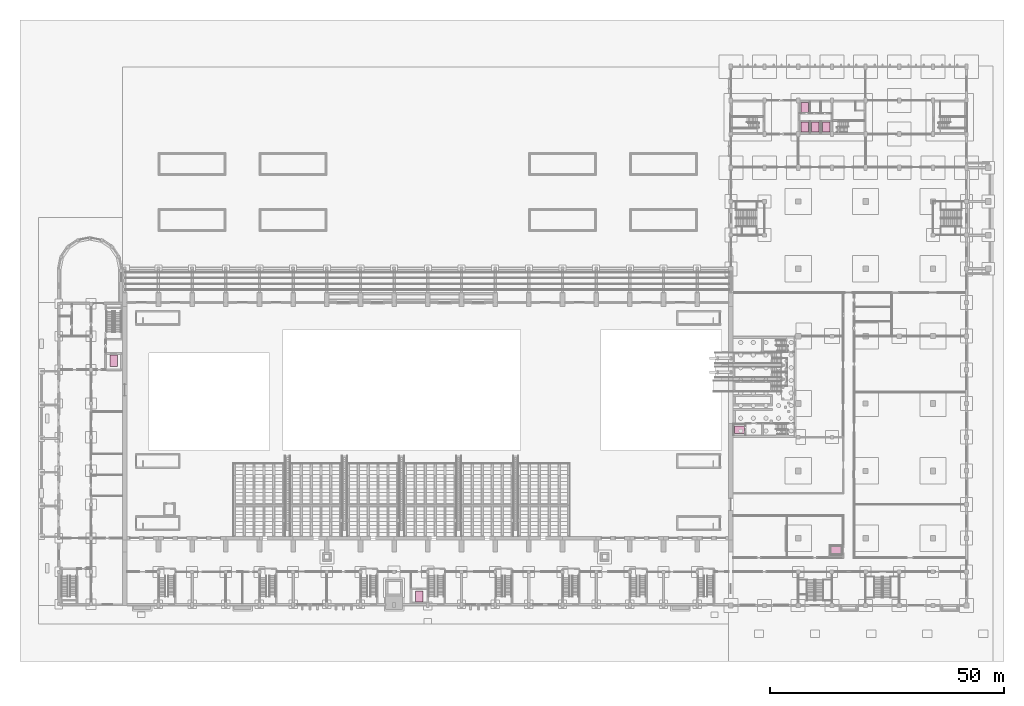
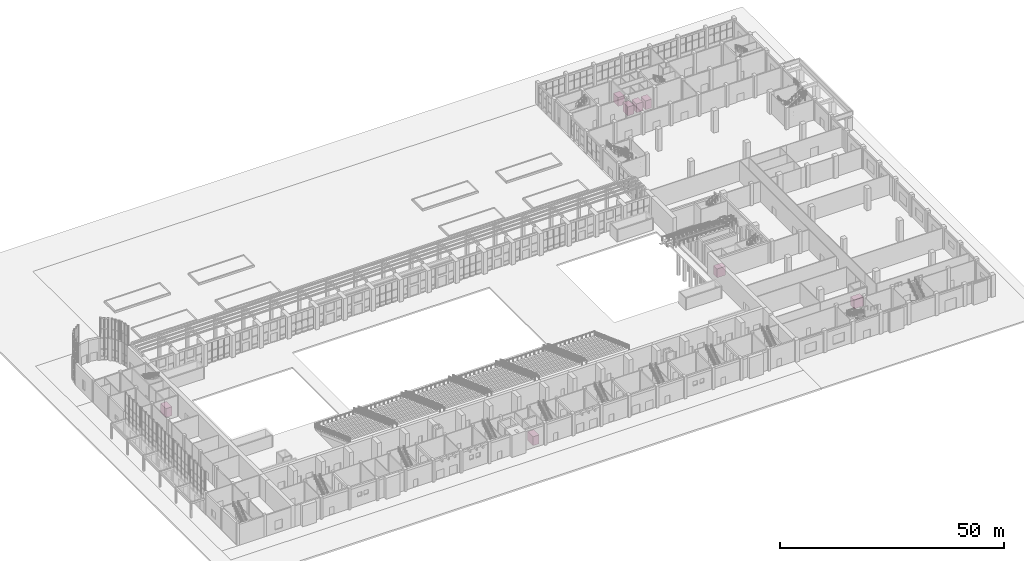
# One storey, part 70 of 70: 8 transport elements.
"""IFC4 building model written with IfcOpenShell, lengths in metres."""

import ifcopenshell
import ifcopenshell.guid

model = None  # the IFC model being written
_history = None  # IfcOwnerHistory: only IFC2X3 demands one
_inside = {}  # id of a spatial element -> (the spatial element, [elements in it])
_under = {}  # id of a project, library or spatial element -> (it, [spatial elements below it])
_declared = {}  # id of a project -> (the project, [libraries it declares])
_typed = {}  # id of a type object -> (the type object, [elements of that type])
_made_of = {}  # id of a material, layer set ... -> (it, [elements and type objects made of it])


def new_model(schema):
    """Start an empty IFC model of exactly this schema.

    Asked for "IFC4X3", IfcOpenShell would pick the latest addendum, in which some entities
    have other attributes; the version numbers below select the first issue.
    IFC2X3 requires an IfcOwnerHistory on every rooted entity: one is made here for all.
    """
    global model, _history
    if schema == "IFC4X3":
        model = ifcopenshell.file(schema_version=(4, 3, 0, 0))
    else:
        model = ifcopenshell.file(schema=schema)
    _inside.clear()
    _under.clear()
    _declared.clear()
    _typed.clear()
    _made_of.clear()
    _history = None
    if model.schema == "IFC2X3":
        org = make("IfcOrganization", Name="unknown")
        user = make(
            "IfcPersonAndOrganization",
            ThePerson=make("IfcPerson", FamilyName="unknown"),
            TheOrganization=org,
        )
        app = make(
            "IfcApplication",
            ApplicationDeveloper=org,
            Version="unknown",
            ApplicationFullName="unknown",
            ApplicationIdentifier="unknown",
        )
        _history = make(
            "IfcOwnerHistory",
            OwningUser=user,
            OwningApplication=app,
            ChangeAction="ADDED",
            CreationDate=0,
        )
    return model


def make(cls, **values):
    """One entity of the class cls with the attributes given. An attribute that is None is left unset."""
    return model.create_entity(
        cls, **{name: value for name, value in values.items() if value is not None}
    )


def rooted(cls, **values):
    """An entity with a GlobalId (a new one), such as an element, a storey or a relation."""
    return make(cls, GlobalId=ifcopenshell.guid.new(), OwnerHistory=_history, **values)


def si_unit(unit_type, name, prefix=None):
    """IfcSIUnit, for example si_unit("LENGTHUNIT", "METRE", prefix="MILLI")."""
    return make("IfcSIUnit", UnitType=unit_type, Prefix=prefix, Name=name)


def assignment(units):
    """IfcUnitAssignment: the units of a project."""
    return None if units is None else make("IfcUnitAssignment", Units=units)


def point(xyz):
    """IfcCartesianPoint."""
    return None if xyz is None else make("IfcCartesianPoint", Coordinates=xyz)


def direction(xyz):
    """IfcDirection."""
    return None if xyz is None else make("IfcDirection", DirectionRatios=xyz)


def frame(location, z_axis=None, x_axis=None):
    """IfcAxis2Placement3D, a coordinate frame: its origin and axes. An axis left out is left unset."""
    return make(
        "IfcAxis2Placement3D",
        Location=point(location),
        Axis=direction(z_axis),
        RefDirection=direction(x_axis),
    )


def frame_2d(location, x_axis=None):
    """IfcAxis2Placement2D, a coordinate frame in the plane: its origin and x axis."""
    return make(
        "IfcAxis2Placement2D", Location=point(location), RefDirection=direction(x_axis)
    )


def origin():
    """The frame at (0, 0, 0) with its axes left unset."""
    return frame((0.0, 0.0, 0.0))


def origin_2d():
    """The frame at (0, 0) in the plane with its x axis left unset."""
    return frame_2d((0.0, 0.0))


def place(relative_to, where):
    """IfcLocalPlacement: puts the frame where relative to a parent placement (None: the world)."""
    return make(
        "IfcLocalPlacement", PlacementRelTo=relative_to, RelativePlacement=where
    )


def context(
    kind, dimensions, precision=None, world=None, true_north=None, identifier=None
):
    """IfcGeometricRepresentationContext, for example the 3D "Model" context."""
    return make(
        "IfcGeometricRepresentationContext",
        ContextIdentifier=identifier,
        ContextType=kind,
        CoordinateSpaceDimension=dimensions,
        Precision=precision,
        WorldCoordinateSystem=world,
        TrueNorth=true_north,
    )


def subcontext(parent, identifier, kind, view, scale=None):
    """IfcGeometricRepresentationSubContext, for example "Body" below "Model"."""
    return make(
        "IfcGeometricRepresentationSubContext",
        ContextIdentifier=identifier,
        ContextType=kind,
        ParentContext=parent,
        TargetScale=scale,
        TargetView=view,
    )


def project(units=None, contexts=None):
    """IfcProject with its units and contexts."""
    return rooted(
        "IfcProject",
        Name="project",
        RepresentationContexts=contexts,
        UnitsInContext=assignment(units),
    )


def spatial(cls, under=None, at=None, **own):
    """A site, building, storey or space (cls), placed at a placement, below another one or the project."""
    s = rooted(cls, ObjectPlacement=at, **own)
    if under is not None:
        _under.setdefault(under.id(), (under, []))[1].append(s)
    return s


def profile(cls, at=None, kind="AREA", **sizes):
    """A parametric profile (cls). Its sizes go by their IFC names, for example OverallWidth=200.0."""
    return make(cls, ProfileType=kind, Position=at, **sizes)


def rectangle(**sizes):
    """IfcRectangleProfileDef."""
    return profile("IfcRectangleProfileDef", **sizes)


def extrude(swept, where, along, depth):
    """IfcExtrudedAreaSolid: the profile swept, set in the frame where, extruded along a direction by depth."""
    return make(
        "IfcExtrudedAreaSolid",
        SweptArea=swept,
        Position=where,
        ExtrudedDirection=direction(along),
        Depth=depth,
    )


def shape(context_of_items, identifier, shape_type, items):
    """IfcShapeRepresentation: the items that make up one representation, for example the "Body"."""
    return make(
        "IfcShapeRepresentation",
        ContextOfItems=context_of_items,
        RepresentationIdentifier=identifier,
        RepresentationType=shape_type,
        Items=items,
    )


def material(Name=None, Category=None):
    """IfcMaterial."""
    return make("IfcMaterial", Name=Name, Category=Category)


def made_of(thing, what):
    """Note that an element or type object is made of a material, layer set ...; save() writes the relation."""
    if what is not None:
        _made_of.setdefault(what.id(), (what, []))[1].append(thing)
    return thing


def type_object(cls, material=None, **own):
    """A type object (cls), such as IfcWallType, which elements share."""
    return made_of(rooted(cls, **own), material)


def element(
    cls,
    number,
    at=None,
    inside=None,
    cuts=None,
    type_object=None,
    material=None,
    context=None,
    identifier="Body",
    shape_type=None,
    held_by="IfcProductDefinitionShape",
    body=None,
    shapes=None,
    **own,
):
    """One element of the class cls, such as IfcWall. Its Tag is "e" and its number.

    at: its placement. inside: the storey or other place that contains it. cuts: it is an
    opening in that element (IfcRelVoidsElement). A single representation is given by context,
    identifier, shape_type and body (its items); several are given by shapes. held_by: the class
    of the entity that holds the representations. save() writes the other relations.
    """
    e = rooted(cls, Tag="e%d" % number, ObjectPlacement=at, **own)
    if body is not None:
        shapes = [shape(context, identifier, shape_type, body)]
    if shapes is not None:
        e.Representation = make(held_by, Representations=shapes)
    if inside is not None:
        _inside.setdefault(inside.id(), (inside, []))[1].append(e)
    if cuts is not None:
        rooted(
            "IfcRelVoidsElement", RelatingBuildingElement=cuts, RelatedOpeningElement=e
        )
    if type_object is not None:
        _typed.setdefault(type_object.id(), (type_object, []))[1].append(e)
    return made_of(e, material)


def aggregate(whole, parts):
    """IfcRelAggregates: a whole, such as a stair, and the parts it consists of."""
    return rooted("IfcRelAggregates", RelatingObject=whole, RelatedObjects=parts)


def save(model, path):
    """Write the relations noted so far, then the file.

    IfcRelAggregates (storeys below a building ...), IfcRelContainedInSpatialStructure (elements
    in a storey), IfcRelDefinesByType, IfcRelAssociatesMaterial and IfcRelDeclares: one each for
    every whole, place, type object, material and project.
    """
    for whole, parts in _under.values():
        aggregate(whole, parts)
    for where, things in _inside.values():
        rooted(
            "IfcRelContainedInSpatialStructure",
            RelatedElements=things,
            RelatingStructure=where,
        )
    for kind, things in _typed.values():
        rooted("IfcRelDefinesByType", RelatedObjects=things, RelatingType=kind)
    for what, things in _made_of.values():
        rooted("IfcRelAssociatesMaterial", RelatedObjects=things, RelatingMaterial=what)
    for by, libraries in _declared.values():
        rooted("IfcRelDeclares", RelatingContext=by, RelatedDefinitions=libraries)
    model.write(path)


model = new_model("IFC4")

# Units and contexts
model_context = context("Model", 3, precision=1e-05, world=origin(), true_north=direction((0.0, 1.0)))
body_context = subcontext(model_context, "Body", "Model", "MODEL_VIEW")
ifc_project = project(units=[si_unit("LENGTHUNIT", "METRE"), si_unit("AREAUNIT", "SQUARE_METRE"), si_unit("VOLUMEUNIT", "CUBIC_METRE"), si_unit("PLANEANGLEUNIT", "RADIAN"), si_unit("MASSUNIT", "GRAM", prefix="KILO")], contexts=[model_context])

# Site, building, storey
site_placement = place(None, origin())
site = spatial("IfcSite", under=ifc_project, at=site_placement, CompositionType="ELEMENT")
building_placement = place(site_placement, origin())
building = spatial("IfcBuilding", under=site, at=building_placement, Name="Vermilion Court Aquatics Centre", CompositionType="ELEMENT")
storey_placement = place(building_placement, origin())
storey = spatial("IfcBuildingStorey", under=building, at=storey_placement, Name="L00", CompositionType="ELEMENT", Elevation=0.0)

# Transport elements
ifc_material_1 = material(Name="Stainless steel ASTM A240 Type 316", Category="steel")
transport_element_type_1 = type_object("IfcTransportElementType", Name="Diving Tower stretcher lift car 1600x2200 reduced pit", PredefinedType="ELEVATOR", material=ifc_material_1)
transport_element_1_placement = place(storey_placement, frame((145.85009765625, 37.5625, 0.0), z_axis=(0.0, 0.0, 1.0), x_axis=(1.0, 0.0, 0.0)))
element("IfcTransportElement", 1, at=transport_element_1_placement, inside=storey, type_object=transport_element_type_1, Name="Stretcher lift L5", PredefinedType="ELEVATOR", context=body_context, shape_type="SweptSolid", body=[
    extrude(rectangle(XDim=2.199951171875, YDim=1.60009765625, at=origin_2d()), origin(), (0.0, 0.0, 1.0), 2.39990234375),
])
ifc_material_2 = material(Name="Steel ASTM A992 Grade 50", Category="steel")
transport_element_type_2 = type_object("IfcTransportElementType", Name="Foyer passenger lift 1600x2400", PredefinedType="ELEVATOR", material=ifc_material_2)
transport_element_2_placement = place(storey_placement, frame((12.0, 52.35009765625, 0.0), z_axis=(0.0, 0.0, 1.0), x_axis=(1.0, 0.0, 0.0)))
element("IfcTransportElement", 2, at=transport_element_2_placement, inside=storey, type_object=transport_element_type_2, Name="Passenger lift F1", PredefinedType="ELEVATOR", context=body_context, shape_type="SweptSolid", body=[
    extrude(rectangle(XDim=1.60009765625, YDim=2.39990234375, at=origin_2d()), origin(), (0.0, 0.0, 1.0), 2.39990234375),
])
ifc_material_3 = material(Name="Stainless steel ASTM A240 Type 316", Category="steel")
transport_element_type_3 = type_object("IfcTransportElementType", Name="North block passenger lift car 1600x2100", PredefinedType="ELEVATOR", material=ifc_material_3)
for number, where, z_axis, x_axis, name in (
    (3, (162.074951171875, 102.300048828125, 0.0), (0.0, 0.0, 1.0), (1.0, 0.0, 0.0), "Passenger lift L2"),
    (4, (164.375, 102.300048828125, 0.0), (0.0, 0.0, 1.0), (1.0, 0.0, 0.0), "Passenger lift L3"),
    (5, (159.77490234375, 106.5, 0.0), (0.0, 0.0, 1.0), (1.0, 0.0, 0.0), "Passenger lift L4"),
):
    element("IfcTransportElement", number, at=place(storey_placement, frame(where, z_axis=z_axis, x_axis=x_axis)), inside=storey, type_object=transport_element_type_3, Name=name, PredefinedType="ELEVATOR", context=body_context, shape_type="SweptSolid", body=[
        extrude(rectangle(XDim=1.60009765625, YDim=2.10009765625, at=origin_2d()), origin(), (0.0, 0.0, 1.0), 2.39990234375),
    ])
ifc_material_4 = material(Name="Stainless steel ASTM A240 Type 316", Category="steel")
transport_element_type_4 = type_object("IfcTransportElementType", Name="North block stretcher lift car 1600x2200", PredefinedType="ELEVATOR", material=ifc_material_4)
transport_element_3_placement = place(storey_placement, frame((159.77490234375, 102.300048828125, 0.0), z_axis=(0.0, 0.0, 1.0), x_axis=(1.0, 0.0, 0.0)))
element("IfcTransportElement", 6, at=transport_element_3_placement, inside=storey, type_object=transport_element_type_4, Name="Stretcher lift L1", PredefinedType="ELEVATOR", context=body_context, shape_type="SweptSolid", body=[
    extrude(rectangle(XDim=1.60009765625, YDim=2.199951171875, at=origin_2d()), origin(), (0.0, 0.0, 1.0), 2.39990234375),
])
ifc_material_5 = material(Name="Stainless steel ASTM A240 Type 316", Category="steel")
transport_element_type_5 = type_object("IfcTransportElementType", Name="Podium service lift car 1600x2400", PredefinedType="ELEVATOR", material=ifc_material_5)
transport_element_4_placement = place(storey_placement, frame((166.375, 11.800048828125, 0.0), z_axis=(0.0, 0.0, 1.0), x_axis=(1.0, 0.0, 0.0)))
element("IfcTransportElement", 7, at=transport_element_4_placement, inside=storey, type_object=transport_element_type_5, Name="Service lift SL1", PredefinedType="ELEVATOR", context=body_context, shape_type="SweptSolid", body=[
    extrude(rectangle(XDim=2.39990234375, YDim=1.60009765625, at=origin_2d()), origin(), (0.0, 0.0, 1.0), 2.39990234375),
])
ifc_material_6 = material(Name="Steel ASTM A992 Grade 50", Category="steel")
transport_element_type_6 = type_object("IfcTransportElementType", Name="South passenger lift 1600x2400", PredefinedType="ELEVATOR", material=ifc_material_6)
transport_element_5_placement = place(storey_placement, frame((77.39990234375, 1.949951171875, 0.0), z_axis=(0.0, 0.0, 1.0), x_axis=(1.0, 0.0, 0.0)))
element("IfcTransportElement", 8, at=transport_element_5_placement, inside=storey, type_object=transport_element_type_6, Name="Passenger lift S1", PredefinedType="ELEVATOR", context=body_context, shape_type="SweptSolid", body=[
    extrude(rectangle(XDim=1.60009765625, YDim=2.39990234375, at=origin_2d()), origin(), (0.0, 0.0, 1.0), 2.39990234375),
])

save(model, "model.ifc")
